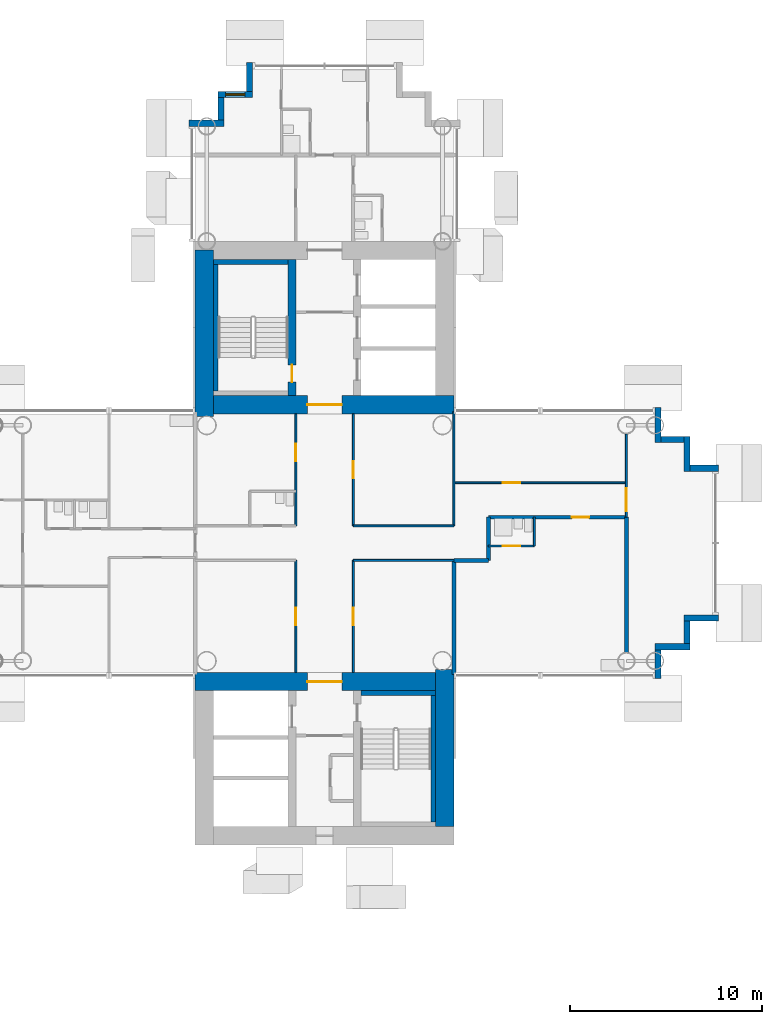
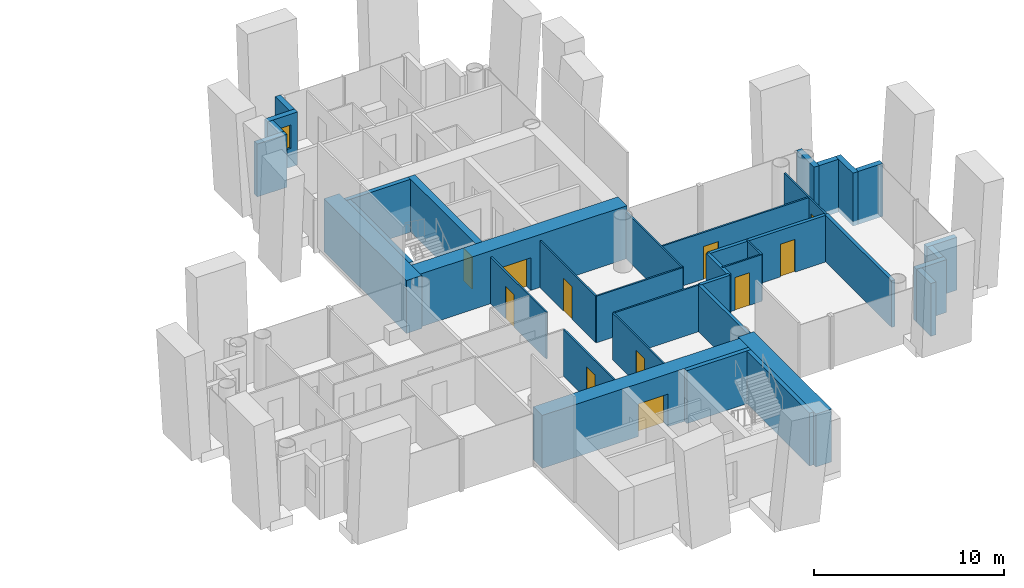
# One storey, part 13 of 21: 37 walls, 11 doors, 1 window, 12 openings.
"""IFC4 building model written with IfcOpenShell, lengths in metres."""

from ifc_helpers import new_model, si_unit, direction, frame, frame_2d, origin, place, context, subcontext, project, spatial, rectangle, extrude, material, layer, layer_set, type_object, element, fill, save


model = new_model("IFC4")

# Units and contexts
model_context = context("Model", 3, precision=1e-05, world=origin(), true_north=direction((0.0, 1.0)))
body_context = subcontext(model_context, "Body", "Model", "MODEL_VIEW")
ifc_project = project(units=[si_unit("LENGTHUNIT", "METRE"), si_unit("AREAUNIT", "SQUARE_METRE"), si_unit("VOLUMEUNIT", "CUBIC_METRE"), si_unit("PLANEANGLEUNIT", "RADIAN"), si_unit("MASSUNIT", "GRAM", prefix="KILO")], contexts=[model_context])

# Site, building, storey
site_placement = place(None, origin())
site = spatial("IfcSite", under=ifc_project, at=site_placement, CompositionType="ELEMENT")
building_placement = place(site_placement, origin())
building = spatial("IfcBuilding", under=site, at=building_placement, Name="Ipe Terrace Towers", CompositionType="ELEMENT")
storey_placement = place(building_placement, frame((0.0, 0.0, 114.0)))
storey = spatial("IfcBuildingStorey", under=building, at=storey_placement, Name="L31", CompositionType="ELEMENT", Elevation=114.0)

# Walls
ifc_material_1 = material(Name="Concrete C40/50 with buff precast cladding", Category="concrete")
ifc_layer_1 = layer(ifc_material_1, 0.320068359375)
ifc_layer_set_1 = layer_set([ifc_layer_1], Name="BUFF CLADDING WALL 320")
wall_type_1 = type_object("IfcWallType", Name="BUFF CLADDING WALL 320", PredefinedType="STANDARD", material=ifc_layer_set_1)
wall_1_placement = place(storey_placement, frame((53.409912109375, -7.070068359375, -0.300048828125), z_axis=(0.0, 0.0, 1.0), x_axis=(0.0, 1.0, 0.0)))
element("IfcWall", 1, at=wall_1_placement, inside=storey, type_object=wall_type_1, Name="T2-W-L31-04a wall", PredefinedType="STANDARD", context=body_context, shape_type="SweptSolid", body=[
    extrude(rectangle(XDim=1.5, YDim=0.320068359375, at=frame_2d((0.75, 0.0))), origin(), (0.0, 0.0, 1.0), 3.400146484375),
])
wall_2_placement = place(storey_placement, frame((53.25, -5.409912109375, -0.300048828125), z_axis=(0.0, 0.0, 1.0), x_axis=(1.0, 0.0, 0.0)))
element("IfcWall", 2, at=wall_2_placement, inside=storey, type_object=wall_type_1, Name="T2-W-L31-05a wall", PredefinedType="STANDARD", context=body_context, shape_type="SweptSolid", body=[
    extrude(rectangle(XDim=1.820068359375, YDim=0.320068359375, at=frame_2d((0.91015625, 0.0))), origin(), (0.0, 0.0, 1.0), 3.400146484375),
])
wall_3_placement = place(storey_placement, frame((54.909912109375, -5.25, -0.300048828125), z_axis=(0.0, 0.0, 1.0), x_axis=(0.0, 1.0, 0.0)))
element("IfcWall", 3, at=wall_3_placement, inside=storey, type_object=wall_type_1, Name="T2-W-L31-06a wall", PredefinedType="STANDARD", context=body_context, shape_type="SweptSolid", body=[
    extrude(rectangle(XDim=1.179931640625, YDim=0.320068359375, at=frame_2d((0.58984375, 0.0))), origin(), (0.0, 0.0, 1.0), 3.400146484375),
])
wall_4_placement = place(storey_placement, frame((54.75, -3.909912109375, -0.300048828125), z_axis=(0.0, 0.0, 1.0), x_axis=(1.0, 0.0, 0.0)))
element("IfcWall", 4, at=wall_4_placement, inside=storey, type_object=wall_type_1, Name="T2-W-L31-07a wall", PredefinedType="STANDARD", context=body_context, shape_type="SweptSolid", body=[
    extrude(rectangle(XDim=1.820068359375, YDim=0.320068359375, at=frame_2d((0.91015625, 0.0))), origin(), (0.0, 0.0, 1.0), 3.400146484375),
])
wall_5_placement = place(storey_placement, frame((56.570068359375, 3.909912109375, -0.300048828125), z_axis=(0.0, 0.0, 1.0), x_axis=(-1.0, 0.0, 0.0)))
element("IfcWall", 5, at=wall_5_placement, inside=storey, type_object=wall_type_1, Name="T2-W-L31-09a wall", PredefinedType="STANDARD", context=body_context, shape_type="SweptSolid", body=[
    extrude(rectangle(XDim=1.5, YDim=0.320068359375, at=frame_2d((0.75, 0.0))), origin(), (0.0, 0.0, 1.0), 3.400146484375),
])
wall_6_placement = place(storey_placement, frame((54.909912109375, 3.75, -0.300048828125), z_axis=(0.0, 0.0, 1.0), x_axis=(0.0, 1.0, 0.0)))
element("IfcWall", 6, at=wall_6_placement, inside=storey, type_object=wall_type_1, Name="T2-W-L31-10a wall", PredefinedType="STANDARD", context=body_context, shape_type="SweptSolid", body=[
    extrude(rectangle(XDim=1.820068359375, YDim=0.320068359375, at=frame_2d((0.91015625, 0.0))), origin(), (0.0, 0.0, 1.0), 3.400146484375),
])
wall_7_placement = place(storey_placement, frame((54.75, 5.409912109375, -0.300048828125), z_axis=(0.0, 0.0, 1.0), x_axis=(-1.0, 0.0, 0.0)))
element("IfcWall", 7, at=wall_7_placement, inside=storey, type_object=wall_type_1, Name="T2-W-L31-11a wall", PredefinedType="STANDARD", context=body_context, shape_type="SweptSolid", body=[
    extrude(rectangle(XDim=1.179931640625, YDim=0.320068359375, at=frame_2d((0.58984375, 0.0))), origin(), (0.0, 0.0, 1.0), 3.400146484375),
])
wall_8_placement = place(storey_placement, frame((53.409912109375, 5.25, -0.300048828125), z_axis=(0.0, 0.0, 1.0), x_axis=(0.0, 1.0, 0.0)))
element("IfcWall", 8, at=wall_8_placement, inside=storey, type_object=wall_type_1, Name="T2-W-L31-12a wall", PredefinedType="STANDARD", context=body_context, shape_type="SweptSolid", body=[
    extrude(rectangle(XDim=1.820068359375, YDim=0.320068359375, at=frame_2d((0.91015625, 0.0))), origin(), (0.0, 0.0, 1.0), 3.400146484375),
])
wall_9_placement = place(storey_placement, frame((32.090087890625, 25.070068359375, -0.300048828125), z_axis=(0.0, 0.0, 1.0), x_axis=(0.0, -1.0, 0.0)))
element("IfcWall", 9, at=wall_9_placement, inside=storey, type_object=wall_type_1, Name="T2-W-L31-22a wall", PredefinedType="STANDARD", context=body_context, shape_type="SweptSolid", body=[
    extrude(rectangle(XDim=1.5, YDim=0.320068359375, at=frame_2d((0.75, 0.0))), origin(), (0.0, 0.0, 1.0), 3.400146484375),
])

# Wall, opening, window
wall_10_placement = place(storey_placement, frame((32.25, 23.409912109375, -0.300048828125), z_axis=(0.0, 0.0, 1.0), x_axis=(-1.0, 0.0, 0.0)))
wall_10 = element("IfcWall", 10, at=wall_10_placement, inside=storey, type_object=wall_type_1, Name="T2-W-L31-23a wall", PredefinedType="STANDARD", context=body_context, shape_type="SweptSolid", body=[
    extrude(rectangle(XDim=1.820068359375, YDim=0.320068359375, at=frame_2d((0.91015625, 0.0))), origin(), (0.0, 0.0, 1.0), 3.400146484375),
])
opening_1_placement = place(wall_10_placement, frame((0.409912109375, 0.0, 1.199951171875)))
opening_1 = element("IfcOpeningElement", 11, at=opening_1_placement, cuts=wall_10, Name="Opening T2-W-05-L31-03", PredefinedType="OPENING", context=body_context, shape_type="SweptSolid", body=[
    extrude(rectangle(XDim=1.0, YDim=1.5, at=frame_2d((0.5, 0.75))), frame((0.0, 0.169921875, 0.0), z_axis=(0.0, -1.0, 0.0), x_axis=(1.0, 0.0, 0.0)), (0.0, 0.0, 1.0), 0.340087890625),
])
ifc_material_2 = material(Name="Glass, clear laminated", Category="glass")
window_type = type_object("IfcWindowType", Name="DWELLING WINDOW 1000 x 1500", PartitioningType="SINGLE_PANEL", PredefinedType="WINDOW", material=ifc_material_2)
window_placement = place(opening_1_placement, origin())
window = element("IfcWindow", 12, at=window_placement, inside=storey, type_object=window_type, Name="W-05 window", OverallHeight=1.5, OverallWidth=1.0, PartitioningType="SINGLE_PANEL", PredefinedType="WINDOW", context=body_context, shape_type="SweptSolid", body=[
    extrude(rectangle(XDim=1.0, YDim=1.5, at=frame_2d((0.5, 0.75))), frame((0.0, 0.030029296875, 0.0), z_axis=(0.0, -1.0, 0.0), x_axis=(1.0, 0.0, 0.0)), (0.0, 0.0, 1.0), 0.06005859375),
])
fill(opening_1, window)

# Walls
wall_11_placement = place(storey_placement, frame((30.590087890625, 23.25, -0.300048828125), z_axis=(0.0, 0.0, 1.0), x_axis=(0.0, -1.0, 0.0)))
element("IfcWall", 13, at=wall_11_placement, inside=storey, type_object=wall_type_1, Name="T2-W-L31-24a wall", PredefinedType="STANDARD", context=body_context, shape_type="SweptSolid", body=[
    extrude(rectangle(XDim=1.179931640625, YDim=0.320068359375, at=frame_2d((0.58984375, 0.0))), origin(), (0.0, 0.0, 1.0), 3.400146484375),
])
wall_12_placement = place(storey_placement, frame((30.75, 21.909912109375, -0.300048828125), z_axis=(0.0, 0.0, 1.0), x_axis=(-1.0, 0.0, 0.0)))
element("IfcWall", 14, at=wall_12_placement, inside=storey, type_object=wall_type_1, Name="T2-W-L31-25a wall", PredefinedType="STANDARD", context=body_context, shape_type="SweptSolid", body=[
    extrude(rectangle(XDim=1.820068359375, YDim=0.320068359375, at=frame_2d((0.91015625, 0.0))), origin(), (0.0, 0.0, 1.0), 3.400146484375),
])
ifc_material_3 = material(Name="Gypsum board partition", Category="plasterboard")
ifc_layer_2 = layer(ifc_material_3, 0.10009765625)
ifc_layer_set_2 = layer_set([ifc_layer_2], Name="Gypsum board partition 100 mm")
wall_type_2 = type_object("IfcWallType", Name="Gypsum board partition 100 mm", PredefinedType="PARTITIONING", material=ifc_layer_set_2)
wall_13_placement = place(storey_placement, frame((42.75, -0.89990234375, 0.0), z_axis=(0.0, 0.0, 1.0), x_axis=(-1.0, 0.0, 0.0)))
element("IfcWall", 15, at=wall_13_placement, inside=storey, type_object=wall_type_2, Name="Gypsum board partition T2 L31 W02", PredefinedType="PARTITIONING", context=body_context, shape_type="SweptSolid", body=[
    extrude(rectangle(XDim=5.25, YDim=0.10009765625, at=frame_2d((2.625, 0.0))), origin(), (0.0, 0.0, 1.0), 3.0),
])

# Wall, opening, door
wall_14_placement = place(storey_placement, frame((46.949951171875, -0.14990234375, 0.0), z_axis=(0.0, 0.0, 1.0), x_axis=(-1.0, 0.0, 0.0)))
wall_14 = element("IfcWall", 16, at=wall_14_placement, inside=storey, type_object=wall_type_2, Name="Gypsum board partition T2 L31 W06", PredefinedType="PARTITIONING", context=body_context, shape_type="SweptSolid", body=[
    extrude(rectangle(XDim=2.39990234375, YDim=0.10009765625, at=frame_2d((1.199951171875, 0.0))), origin(), (0.0, 0.0, 1.0), 3.0),
])
opening_2_placement = place(wall_14_placement, frame((0.75, 0.0, 0.0)))
opening_2 = element("IfcOpeningElement", 17, at=opening_2_placement, cuts=wall_14, Name="Opening T2-Z2F-18", PredefinedType="OPENING", context=body_context, shape_type="SweptSolid", body=[
    extrude(rectangle(XDim=0.89990234375, YDim=2.10009765625, at=frame_2d((0.449951171875, 1.050048828125))), frame((0.0, 0.06005859375, 0.0), z_axis=(0.0, -1.0, 0.0), x_axis=(1.0, 0.0, 0.0)), (0.0, 0.0, 1.0), 0.1201171875),
])
ifc_material_4 = material(Name="Timber door leaf", Category="wood")
door_type_1 = type_object("IfcDoorType", Name="Bathroom door 900 x 2100", OperationType="NOTDEFINED", PredefinedType="DOOR", material=ifc_material_4)
door_1_placement = place(opening_2_placement, origin())
door_1 = element("IfcDoor", 18, at=door_1_placement, inside=storey, type_object=door_type_1, Name="Bathroom door T2-Z2F-18", OperationType="SINGLE_SWING_RIGHT", OverallHeight=2.10009765625, OverallWidth=0.89990234375, PredefinedType="DOOR", context=body_context, shape_type="SweptSolid", body=[
    extrude(rectangle(XDim=0.89990234375, YDim=2.10009765625, at=frame_2d((0.449951171875, 1.050048828125))), frame((0.0, 0.02490234375, 0.0), z_axis=(0.0, -1.0, 0.0), x_axis=(1.0, 0.0, 0.0)), (0.0, 0.0, 1.0), 0.050048828125),
])
fill(opening_2, door_1)

# Wall
wall_15_placement = place(storey_placement, frame((42.75, 0.89990234375, 0.0), z_axis=(0.0, 0.0, 1.0), x_axis=(-1.0, 0.0, 0.0)))
element("IfcWall", 19, at=wall_15_placement, inside=storey, type_object=wall_type_2, Name="Gypsum board partition T2 L31 W08", PredefinedType="PARTITIONING", context=body_context, shape_type="SweptSolid", body=[
    extrude(rectangle(XDim=5.25, YDim=0.10009765625, at=frame_2d((2.625, 0.0))), origin(), (0.0, 0.0, 1.0), 3.0),
])

# Wall, opening, door
wall_16_placement = place(storey_placement, frame((51.75, 3.14990234375, 0.0), z_axis=(0.0, 0.0, 1.0), x_axis=(-1.0, 0.0, 0.0)))
wall_16 = element("IfcWall", 20, at=wall_16_placement, inside=storey, type_object=wall_type_2, Name="Gypsum board partition T2 L31 W13", PredefinedType="PARTITIONING", context=body_context, shape_type="SweptSolid", body=[
    extrude(rectangle(XDim=9.0, YDim=0.10009765625, at=frame_2d((4.5, 0.0))), origin(), (0.0, 0.0, 1.0), 3.0),
])
opening_3_placement = place(wall_16_placement, frame((5.550048828125, 0.0, 0.0)))
opening_3 = element("IfcOpeningElement", 21, at=opening_3_placement, cuts=wall_16, Name="Opening T2-Z2F-16", PredefinedType="OPENING", context=body_context, shape_type="SweptSolid", body=[
    extrude(rectangle(XDim=0.89990234375, YDim=2.10009765625, at=frame_2d((0.449951171875, 1.050048828125))), frame((0.0, 0.06005859375, 0.0), z_axis=(0.0, -1.0, 0.0), x_axis=(1.0, 0.0, 0.0)), (0.0, 0.0, 1.0), 0.1201171875),
])
ifc_material_5 = material(Name="Timber door leaf", Category="wood")
door_type_2 = type_object("IfcDoorType", Name="Lounge door 900 x 2100", OperationType="NOTDEFINED", PredefinedType="DOOR", material=ifc_material_5)
door_2_placement = place(opening_3_placement, origin())
door_2 = element("IfcDoor", 22, at=door_2_placement, inside=storey, type_object=door_type_2, Name="Lounge door T2-Z2F-16", OperationType="SINGLE_SWING_RIGHT", OverallHeight=2.10009765625, OverallWidth=0.89990234375, PredefinedType="DOOR", context=body_context, shape_type="SweptSolid", body=[
    extrude(rectangle(XDim=0.89990234375, YDim=2.10009765625, at=frame_2d((0.449951171875, 1.050048828125))), frame((0.0, 0.02490234375, 0.0), z_axis=(0.0, -1.0, 0.0), x_axis=(1.0, 0.0, 0.0)), (0.0, 0.0, 1.0), 0.050048828125),
])
fill(opening_3, door_2)

wall_17_placement = place(storey_placement, frame((51.75, 1.35009765625, 0.0), z_axis=(0.0, 0.0, 1.0), x_axis=(0.0, 1.0, 0.0)))
wall_17 = element("IfcWall", 23, at=wall_17_placement, inside=storey, type_object=wall_type_2, Name="Gypsum board partition T2 L31 W17", PredefinedType="PARTITIONING", context=body_context, shape_type="SweptSolid", body=[
    extrude(rectangle(XDim=4.349853515625, YDim=0.10009765625, at=frame_2d((2.1748046875, 0.0))), origin(), (0.0, 0.0, 1.0), 3.0),
])
opening_4_placement = place(wall_17_placement, frame((0.300048828125, 0.0, 0.0)))
opening_4 = element("IfcOpeningElement", 24, at=opening_4_placement, cuts=wall_17, Name="Opening T2-Z2F-19", PredefinedType="OPENING", context=body_context, shape_type="SweptSolid", body=[
    extrude(rectangle(XDim=1.199951171875, YDim=2.10009765625, at=frame_2d((0.60009765625, 1.050048828125))), frame((0.0, 0.06005859375, 0.0), z_axis=(0.0, -1.0, 0.0), x_axis=(1.0, 0.0, 0.0)), (0.0, 0.0, 1.0), 0.1201171875),
])
ifc_material_6 = material(Name="Timber door leaf", Category="wood")
door_type_3 = type_object("IfcDoorType", Name="Lounge door 1200 x 2100", OperationType="NOTDEFINED", PredefinedType="DOOR", material=ifc_material_6)
door_3_placement = place(opening_4_placement, origin())
door_3 = element("IfcDoor", 25, at=door_3_placement, inside=storey, type_object=door_type_3, Name="Lounge door T2-Z2F-19", OperationType="SINGLE_SWING_LEFT", OverallHeight=2.10009765625, OverallWidth=1.199951171875, PredefinedType="DOOR", context=body_context, shape_type="SweptSolid", body=[
    extrude(rectangle(XDim=1.199951171875, YDim=2.10009765625, at=frame_2d((0.60009765625, 1.050048828125))), frame((0.0, 0.02490234375, 0.0), z_axis=(0.0, -1.0, 0.0), x_axis=(1.0, 0.0, 0.0)), (0.0, 0.0, 1.0), 0.050048828125),
])
fill(opening_4, door_3)

# Walls
wall_18_placement = place(storey_placement, frame((46.949951171875, -0.14990234375, 0.0), z_axis=(0.0, 0.0, 1.0), x_axis=(0.0, 1.0, 0.0)))
element("IfcWall", 26, at=wall_18_placement, inside=storey, type_object=wall_type_2, Name="Gypsum board partition T2 L31 W19", PredefinedType="PARTITIONING", context=body_context, shape_type="SweptSolid", body=[
    extrude(rectangle(XDim=1.5, YDim=0.10009765625, at=frame_2d((0.75, 0.0))), origin(), (0.0, 0.0, 1.0), 3.0),
])
wall_19_placement = place(storey_placement, frame((42.75, 0.89990234375, 0.0), z_axis=(0.0, 0.0, 1.0), x_axis=(0.0, 1.0, 0.0)))
element("IfcWall", 27, at=wall_19_placement, inside=storey, type_object=wall_type_2, Name="Gypsum board partition T2 L31 W21", PredefinedType="PARTITIONING", context=body_context, shape_type="SweptSolid", body=[
    extrude(rectangle(XDim=5.9501953125, YDim=0.10009765625, at=frame_2d((2.97509765625, 0.0))), origin(), (0.0, 0.0, 1.0), 3.0),
])

# Wall, opening, door
wall_20_placement = place(storey_placement, frame((37.5, -6.75, 0.0), z_axis=(0.0, 0.0, 1.0), x_axis=(0.0, 1.0, 0.0)))
wall_20 = element("IfcWall", 28, at=wall_20_placement, inside=storey, type_object=wall_type_2, Name="Gypsum board partition T2 L31 W25", PredefinedType="PARTITIONING", context=body_context, shape_type="SweptSolid", body=[
    extrude(rectangle(XDim=5.85009765625, YDim=0.10009765625, at=frame_2d((2.925048828125, 0.0))), origin(), (0.0, 0.0, 1.0), 3.0),
])
opening_5_placement = place(wall_20_placement, frame((2.47509765625, 0.0, 0.0)))
opening_5 = element("IfcOpeningElement", 29, at=opening_5_placement, cuts=wall_20, Name="Opening T2-Z2F-04", PredefinedType="OPENING", context=body_context, shape_type="SweptSolid", body=[
    extrude(rectangle(XDim=0.89990234375, YDim=2.10009765625, at=frame_2d((0.449951171875, 1.050048828125))), frame((0.0, 0.06005859375, 0.0), z_axis=(0.0, -1.0, 0.0), x_axis=(1.0, 0.0, 0.0)), (0.0, 0.0, 1.0), 0.1201171875),
])
door_4_placement = place(opening_5_placement, origin())
door_4 = element("IfcDoor", 30, at=door_4_placement, inside=storey, type_object=door_type_2, Name="Lounge door T2-Z2F-04", OperationType="SINGLE_SWING_LEFT", OverallHeight=2.10009765625, OverallWidth=0.89990234375, PredefinedType="DOOR", context=body_context, shape_type="SweptSolid", body=[
    extrude(rectangle(XDim=0.89990234375, YDim=2.10009765625, at=frame_2d((0.449951171875, 1.050048828125))), frame((0.0, 0.02490234375, 0.0), z_axis=(0.0, -1.0, 0.0), x_axis=(1.0, 0.0, 0.0)), (0.0, 0.0, 1.0), 0.050048828125),
])
fill(opening_5, door_4)

wall_21_placement = place(storey_placement, frame((37.5, 0.89990234375, 0.0), z_axis=(0.0, 0.0, 1.0), x_axis=(0.0, 1.0, 0.0)))
wall_21 = element("IfcWall", 31, at=wall_21_placement, inside=storey, type_object=wall_type_2, Name="Gypsum board partition T2 L31 W26", PredefinedType="PARTITIONING", context=body_context, shape_type="SweptSolid", body=[
    extrude(rectangle(XDim=5.85009765625, YDim=0.10009765625, at=frame_2d((2.925048828125, 0.0))), origin(), (0.0, 0.0, 1.0), 3.0),
])
opening_6_placement = place(wall_21_placement, frame((2.47509765625, 0.0, 0.0)))
opening_6 = element("IfcOpeningElement", 32, at=opening_6_placement, cuts=wall_21, Name="Opening T2-Z2F-05", PredefinedType="OPENING", context=body_context, shape_type="SweptSolid", body=[
    extrude(rectangle(XDim=0.89990234375, YDim=2.10009765625, at=frame_2d((0.449951171875, 1.050048828125))), frame((0.0, 0.06005859375, 0.0), z_axis=(0.0, -1.0, 0.0), x_axis=(1.0, 0.0, 0.0)), (0.0, 0.0, 1.0), 0.1201171875),
])
door_5_placement = place(opening_6_placement, origin())
door_5 = element("IfcDoor", 33, at=door_5_placement, inside=storey, type_object=door_type_2, Name="Lounge door T2-Z2F-05", OperationType="SINGLE_SWING_RIGHT", OverallHeight=2.10009765625, OverallWidth=0.89990234375, PredefinedType="DOOR", context=body_context, shape_type="SweptSolid", body=[
    extrude(rectangle(XDim=0.89990234375, YDim=2.10009765625, at=frame_2d((0.449951171875, 1.050048828125))), frame((0.0, 0.02490234375, 0.0), z_axis=(0.0, -1.0, 0.0), x_axis=(1.0, 0.0, 0.0)), (0.0, 0.0, 1.0), 0.050048828125),
])
fill(opening_6, door_5)

wall_22_placement = place(storey_placement, frame((34.5, -6.75, 0.0), z_axis=(0.0, 0.0, 1.0), x_axis=(0.0, 1.0, 0.0)))
wall_22 = element("IfcWall", 34, at=wall_22_placement, inside=storey, type_object=wall_type_2, Name="Gypsum board partition T2 L31 W29", PredefinedType="PARTITIONING", context=body_context, shape_type="SweptSolid", body=[
    extrude(rectangle(XDim=5.85009765625, YDim=0.10009765625, at=frame_2d((2.925048828125, 0.0))), origin(), (0.0, 0.0, 1.0), 3.0),
])
opening_7_placement = place(wall_22_placement, frame((2.47509765625, 0.0, 0.0)))
opening_7 = element("IfcOpeningElement", 35, at=opening_7_placement, cuts=wall_22, Name="Opening T2-Z2F-03", PredefinedType="OPENING", context=body_context, shape_type="SweptSolid", body=[
    extrude(rectangle(XDim=0.89990234375, YDim=2.10009765625, at=frame_2d((0.449951171875, 1.050048828125))), frame((0.0, 0.06005859375, 0.0), z_axis=(0.0, -1.0, 0.0), x_axis=(1.0, 0.0, 0.0)), (0.0, 0.0, 1.0), 0.1201171875),
])
door_6_placement = place(opening_7_placement, origin())
door_6 = element("IfcDoor", 36, at=door_6_placement, inside=storey, type_object=door_type_2, Name="Lounge door T2-Z2F-03", OperationType="SINGLE_SWING_RIGHT", OverallHeight=2.10009765625, OverallWidth=0.89990234375, PredefinedType="DOOR", context=body_context, shape_type="SweptSolid", body=[
    extrude(rectangle(XDim=0.89990234375, YDim=2.10009765625, at=frame_2d((0.449951171875, 1.050048828125))), frame((0.0, 0.02490234375, 0.0), z_axis=(0.0, -1.0, 0.0), x_axis=(1.0, 0.0, 0.0)), (0.0, 0.0, 1.0), 0.050048828125),
])
fill(opening_7, door_6)

wall_23_placement = place(storey_placement, frame((34.5, 0.89990234375, 0.0), z_axis=(0.0, 0.0, 1.0), x_axis=(0.0, 1.0, 0.0)))
wall_23 = element("IfcWall", 37, at=wall_23_placement, inside=storey, type_object=wall_type_2, Name="Gypsum board partition T2 L31 W30", PredefinedType="PARTITIONING", context=body_context, shape_type="SweptSolid", body=[
    extrude(rectangle(XDim=5.85009765625, YDim=0.10009765625, at=frame_2d((2.925048828125, 0.0))), origin(), (0.0, 0.0, 1.0), 3.0),
])
opening_8_placement = place(wall_23_placement, frame((3.375, 0.0, 0.0)))
opening_8 = element("IfcOpeningElement", 38, at=opening_8_placement, cuts=wall_23, Name="Opening T2-Z2F-02", PredefinedType="OPENING", context=body_context, shape_type="SweptSolid", body=[
    extrude(rectangle(XDim=0.89990234375, YDim=2.10009765625, at=frame_2d((0.449951171875, 1.050048828125))), frame((0.0, 0.06005859375, 0.0), z_axis=(0.0, -1.0, 0.0), x_axis=(1.0, 0.0, 0.0)), (0.0, 0.0, 1.0), 0.1201171875),
])
door_7_placement = place(opening_8_placement, origin())
door_7 = element("IfcDoor", 39, at=door_7_placement, inside=storey, type_object=door_type_2, Name="Lounge door T2-Z2F-02", OperationType="SINGLE_SWING_LEFT", OverallHeight=2.10009765625, OverallWidth=0.89990234375, PredefinedType="DOOR", context=body_context, shape_type="SweptSolid", body=[
    extrude(rectangle(XDim=0.89990234375, YDim=2.10009765625, at=frame_2d((0.449951171875, 1.050048828125))), frame((0.0, 0.02490234375, 0.0), z_axis=(0.0, -1.0, 0.0), x_axis=(1.0, 0.0, 0.0)), (0.0, 0.0, 1.0), 0.050048828125),
])
fill(opening_8, door_7)

# Wall
ifc_material_7 = material(Name="Gypsum board party wall", Category="plasterboard")
ifc_layer_3 = layer(ifc_material_7, 0.199951171875)
ifc_layer_set_3 = layer_set([ifc_layer_3], Name="Gypsum board party wall 200 mm")
wall_type_3 = type_object("IfcWallType", Name="Gypsum board party wall 200 mm", PredefinedType="SOLIDWALL", material=ifc_layer_set_3)
wall_24_placement = place(storey_placement, frame((44.550048828125, -0.89990234375, 0.0), z_axis=(0.0, 0.0, 1.0), x_axis=(-1.0, 0.0, 0.0)))
element("IfcWall", 40, at=wall_24_placement, inside=storey, type_object=wall_type_3, Name="Gypsum board party wall T2 L31 W04", PredefinedType="SOLIDWALL", context=body_context, shape_type="SweptSolid", body=[
    extrude(rectangle(XDim=1.800048828125, YDim=0.199951171875, at=frame_2d((0.89990234375, 0.0))), origin(), (0.0, 0.0, 1.0), 3.0),
])

# Wall, opening, door
wall_25_placement = place(storey_placement, frame((51.75, 1.35009765625, 0.0), z_axis=(0.0, 0.0, 1.0), x_axis=(-1.0, 0.0, 0.0)))
wall_25 = element("IfcWall", 41, at=wall_25_placement, inside=storey, type_object=wall_type_3, Name="Gypsum board party wall T2 L31 W10", PredefinedType="SOLIDWALL", context=body_context, shape_type="SweptSolid", body=[
    extrude(rectangle(XDim=7.199951171875, YDim=0.199951171875, at=frame_2d((3.60009765625, 0.0))), origin(), (0.0, 0.0, 1.0), 3.0),
])
opening_9_placement = place(wall_25_placement, frame((1.949951171875, 0.0, 0.0)))
opening_9 = element("IfcOpeningElement", 42, at=opening_9_placement, cuts=wall_25, Name="Opening T2-Z2F-17", PredefinedType="OPENING", context=body_context, shape_type="SweptSolid", body=[
    extrude(rectangle(XDim=0.89990234375, YDim=2.10009765625, at=frame_2d((0.449951171875, 1.050048828125))), frame((0.0, 0.10986328125, 0.0), z_axis=(0.0, -1.0, 0.0), x_axis=(1.0, 0.0, 0.0)), (0.0, 0.0, 1.0), 0.219970703125),
])
ifc_material_8 = material(Name="Fire-rated timber door leaf", Category="wood")
door_type_4 = type_object("IfcDoorType", Name="Flat entrance door 900 x 2100 FD30S", OperationType="NOTDEFINED", PredefinedType="DOOR", material=ifc_material_8)
door_8_placement = place(opening_9_placement, origin())
door_8 = element("IfcDoor", 43, at=door_8_placement, inside=storey, type_object=door_type_4, Name="Flat entrance door T2-Z2F-17", OperationType="SINGLE_SWING_RIGHT", OverallHeight=2.10009765625, OverallWidth=0.89990234375, PredefinedType="DOOR", context=body_context, shape_type="SweptSolid", body=[
    extrude(rectangle(XDim=0.89990234375, YDim=2.10009765625, at=frame_2d((0.449951171875, 1.050048828125))), frame((0.0, 0.02490234375, 0.0), z_axis=(0.0, -1.0, 0.0), x_axis=(1.0, 0.0, 0.0)), (0.0, 0.0, 1.0), 0.050048828125),
])
fill(opening_9, door_8)

# Walls
wall_26_placement = place(storey_placement, frame((51.75, -5.699951171875, 0.0), z_axis=(0.0, 0.0, 1.0), x_axis=(0.0, 1.0, 0.0)))
element("IfcWall", 44, at=wall_26_placement, inside=storey, type_object=wall_type_3, Name="Gypsum board party wall T2 L31 W18", PredefinedType="SOLIDWALL", context=body_context, shape_type="SweptSolid", body=[
    extrude(rectangle(XDim=7.050048828125, YDim=0.199951171875, at=frame_2d((3.52490234375, 0.0))), origin(), (0.0, 0.0, 1.0), 3.0),
])
wall_27_placement = place(storey_placement, frame((44.550048828125, -0.89990234375, 0.0), z_axis=(0.0, 0.0, 1.0), x_axis=(0.0, 1.0, 0.0)))
element("IfcWall", 45, at=wall_27_placement, inside=storey, type_object=wall_type_3, Name="Gypsum board party wall T2 L31 W20", PredefinedType="SOLIDWALL", context=body_context, shape_type="SweptSolid", body=[
    extrude(rectangle(XDim=2.25, YDim=0.199951171875, at=frame_2d((1.125, 0.0))), origin(), (0.0, 0.0, 1.0), 3.0),
])
wall_28_placement = place(storey_placement, frame((42.75, -6.85009765625, 0.0), z_axis=(0.0, 0.0, 1.0), x_axis=(0.0, 1.0, 0.0)))
element("IfcWall", 46, at=wall_28_placement, inside=storey, type_object=wall_type_3, Name="Gypsum board party wall T2 L31 W22", PredefinedType="SOLIDWALL", context=body_context, shape_type="SweptSolid", body=[
    extrude(rectangle(XDim=5.9501953125, YDim=0.199951171875, at=frame_2d((2.97509765625, 0.0))), origin(), (0.0, 0.0, 1.0), 3.0),
])
ifc_material_9 = material(Name="Concrete C50/60", Category="concrete")
ifc_layer_4 = layer(ifc_material_9, 0.25)
ifc_layer_set_4 = layer_set([ifc_layer_4], Name="RW250 CORE INFILL WALL 250 C50-60")
wall_type_4 = type_object("IfcWallType", Name="RW250 CORE INFILL WALL 250 C50-60", PredefinedType="SHEAR", material=ifc_layer_set_4)
wall_29_placement = place(storey_placement, frame((34.10009765625, 14.675048828125, 0.0), z_axis=(0.0, 0.0, 1.0), x_axis=(-1.0, 0.0, 0.0)))
element("IfcWall", 47, at=wall_29_placement, inside=storey, type_object=wall_type_4, Name="Core infill wall T2-C1-far", PredefinedType="SHEAR", context=body_context, shape_type="SweptSolid", body=[
    extrude(rectangle(XDim=3.900146484375, YDim=0.25, at=frame_2d((1.9501953125, 0.0))), origin(), (0.0, 0.0, 1.0), 3.39990234375),
])
for number, where, z_axis, x_axis, name in (
    (48, (30.324951171875, 7.949951171875, 0.0), (0.0, 0.0, 1.0), (0.0, 1.0, 0.0), "Core infill wall T2-C1-back"),
    (49, (41.675048828125, -7.949951171875, 0.0), (0.0, 0.0, 1.0), (0.0, -1.0, 0.0), "Core infill wall T2-C2-back"),
):
    element("IfcWall", number, at=place(storey_placement, frame(where, z_axis=z_axis, x_axis=x_axis)), inside=storey, type_object=wall_type_4, Name=name, PredefinedType="SHEAR", context=body_context, shape_type="SweptSolid", body=[
        extrude(rectangle(XDim=6.60009765625, YDim=0.25, at=frame_2d((3.300048828125, 0.0))), origin(), (0.0, 0.0, 1.0), 3.39990234375),
    ])
wall_30_placement = place(storey_placement, frame((37.89990234375, -7.824951171875, 0.0), z_axis=(0.0, 0.0, 1.0), x_axis=(1.0, 0.0, 0.0)))
element("IfcWall", 50, at=wall_30_placement, inside=storey, type_object=wall_type_4, Name="Core infill wall T2-C2-near", PredefinedType="SHEAR", context=body_context, shape_type="SweptSolid", body=[
    extrude(rectangle(XDim=3.900146484375, YDim=0.25, at=frame_2d((1.9501953125, 0.0))), origin(), (0.0, 0.0, 1.0), 3.39990234375),
])

# Wall, opening, door
ifc_material_10 = material(Name="Concrete C50/60", Category="concrete")
ifc_layer_5 = layer(ifc_material_10, 0.39990234375)
ifc_layer_set_5 = layer_set([ifc_layer_5], Name="RW400 CORE SPINE WALL 400 C50-60")
wall_type_5 = type_object("IfcWallType", Name="RW400 CORE SPINE WALL 400 C50-60", PredefinedType="SHEAR", material=ifc_layer_set_5)
wall_31_placement = place(storey_placement, frame((34.300048828125, 7.699951171875, 0.0), z_axis=(0.0, 0.0, 1.0), x_axis=(0.0, 1.0, 0.0)))
wall_31 = element("IfcWall", 51, at=wall_31_placement, inside=storey, type_object=wall_type_5, Name="Core spine wall T2-C1-Z2-SW1", PredefinedType="SHEAR", context=body_context, shape_type="SweptSolid", body=[
    extrude(rectangle(XDim=7.10009765625, YDim=0.39990234375, at=frame_2d((3.550048828125, 0.0))), origin(), (0.0, 0.0, 1.0), 3.39990234375),
])
opening_10_placement = place(wall_31_placement, frame((0.699951171875, 0.0, 0.0)))
opening_10 = element("IfcOpeningElement", 52, at=opening_10_placement, cuts=wall_31, Name="Opening T2C1-SD", PredefinedType="OPENING", context=body_context, shape_type="SweptSolid", body=[
    extrude(rectangle(XDim=0.89990234375, YDim=2.10009765625, at=frame_2d((0.449951171875, 1.050048828125))), frame((0.0, 0.2099609375, 0.0), z_axis=(0.0, -1.0, 0.0), x_axis=(1.0, 0.0, 0.0)), (0.0, 0.0, 1.0), 0.419921875),
])
ifc_material_11 = material(Name="Fire-rated timber door leaf", Category="wood")
door_type_5 = type_object("IfcDoorType", Name="Stair door 900 x 2100 FD60", OperationType="NOTDEFINED", PredefinedType="DOOR", material=ifc_material_11)
door_9_placement = place(opening_10_placement, origin())
door_9 = element("IfcDoor", 53, at=door_9_placement, inside=storey, type_object=door_type_5, Name="Stair door T2C1-SD", OperationType="SINGLE_SWING_LEFT", OverallHeight=2.10009765625, OverallWidth=0.89990234375, PredefinedType="DOOR", context=body_context, shape_type="SweptSolid", body=[
    extrude(rectangle(XDim=0.89990234375, YDim=2.10009765625, at=frame_2d((0.449951171875, 1.050048828125))), frame((0.0, 0.02490234375, 0.0), z_axis=(0.0, -1.0, 0.0), x_axis=(1.0, 0.0, 0.0)), (0.0, 0.0, 1.0), 0.050048828125),
])
fill(opening_10, door_9)

ifc_material_12 = material(Name="Concrete C50/60", Category="concrete")
ifc_layer_6 = layer(ifc_material_12, 0.949951171875)
ifc_layer_set_6 = layer_set([ifc_layer_6], Name="RW950 CORE WALL 950 C50-60")
wall_type_6 = type_object("IfcWallType", Name="RW950 CORE WALL 950 C50-60", PredefinedType="SHEAR", material=ifc_layer_set_6)
wall_32_placement = place(storey_placement, frame((30.199951171875, 7.22509765625, 0.0), z_axis=(0.0, 0.0, 1.0), x_axis=(1.0, 0.0, 0.0)))
wall_32 = element("IfcWall", 54, at=wall_32_placement, inside=storey, type_object=wall_type_6, Name="Core wall T2-C1-Z2-W01", PredefinedType="SHEAR", context=body_context, shape_type="SweptSolid", body=[
    extrude(rectangle(XDim=12.550048828125, YDim=0.949951171875, at=frame_2d((6.27490234375, 0.0))), origin(), (0.0, 0.0, 1.0), 3.39990234375),
])
opening_11_placement = place(wall_32_placement, frame((4.89990234375, 0.0, 0.0)))
opening_11 = element("IfcOpeningElement", 55, at=opening_11_placement, cuts=wall_32, Name="Opening T2C1-ND", PredefinedType="OPENING", context=body_context, shape_type="SweptSolid", body=[
    extrude(rectangle(XDim=1.800048828125, YDim=2.10009765625, at=frame_2d((0.89990234375, 1.050048828125))), frame((0.0, 0.48486328125, 0.0), z_axis=(0.0, -1.0, 0.0), x_axis=(1.0, 0.0, 0.0)), (0.0, 0.0, 1.0), 0.969970703125),
])
ifc_material_13 = material(Name="Fire-rated timber door leaf", Category="wood")
door_type_6 = type_object("IfcDoorType", Name="Fire door 1800 x 2100 FD30S", OperationType="NOTDEFINED", PredefinedType="DOOR", material=ifc_material_13)
door_10_placement = place(opening_11_placement, origin())
door_10 = element("IfcDoor", 56, at=door_10_placement, inside=storey, type_object=door_type_6, Name="Fire door T2C1-ND", OperationType="SINGLE_SWING_LEFT", OverallHeight=2.10009765625, OverallWidth=1.800048828125, PredefinedType="DOOR", context=body_context, shape_type="SweptSolid", body=[
    extrude(rectangle(XDim=1.800048828125, YDim=2.10009765625, at=frame_2d((0.89990234375, 1.050048828125))), frame((0.0, 0.02490234375, 0.0), z_axis=(0.0, -1.0, 0.0), x_axis=(1.0, 0.0, 0.0)), (0.0, 0.0, 1.0), 0.050048828125),
])
fill(opening_11, door_10)

# Walls
wall_33_placement = place(storey_placement, frame((29.72509765625, 15.298095703125, 0.0), z_axis=(0.0, 0.0, 1.0), x_axis=(0.0, -1.0, 0.0)))
element("IfcWall", 57, at=wall_33_placement, inside=storey, type_object=wall_type_6, Name="Core wall T2-C1-Z2-W04", PredefinedType="SHEAR", context=body_context, shape_type="SweptSolid", body=[
    extrude(rectangle(XDim=8.696044921875, YDim=0.949951171875, at=frame_2d((4.34814453125, 0.0))), origin(), (0.0, 0.0, 1.0), 3.39990234375),
])
wall_34_placement = place(storey_placement, frame((42.27490234375, -14.800048828125, 0.0), z_axis=(0.0, 0.0, 1.0), x_axis=(0.0, 1.0, 0.0)))
element("IfcWall", 58, at=wall_34_placement, inside=storey, type_object=wall_type_6, Name="Core wall T2-C2-Z2-W02", PredefinedType="SHEAR", context=body_context, shape_type="SweptSolid", body=[
    extrude(rectangle(XDim=8.197998046875, YDim=0.949951171875, at=frame_2d((4.09912109375, 0.0))), origin(), (0.0, 0.0, 1.0), 3.39990234375),
])

# Wall, opening, door
wall_35_placement = place(storey_placement, frame((41.800048828125, -7.22509765625, 0.0), z_axis=(0.0, 0.0, 1.0), x_axis=(-1.0, 0.0, 0.0)))
wall_35 = element("IfcWall", 59, at=wall_35_placement, inside=storey, type_object=wall_type_6, Name="Core wall T2-C2-Z2-W03", PredefinedType="SHEAR", context=body_context, shape_type="SweptSolid", body=[
    extrude(rectangle(XDim=12.550048828125, YDim=0.949951171875, at=frame_2d((6.27490234375, 0.0))), origin(), (0.0, 0.0, 1.0), 3.39990234375),
])
opening_12_placement = place(wall_35_placement, frame((4.89990234375, 0.0, 0.0)))
opening_12 = element("IfcOpeningElement", 60, at=opening_12_placement, cuts=wall_35, Name="Opening T2C2-ND", PredefinedType="OPENING", context=body_context, shape_type="SweptSolid", body=[
    extrude(rectangle(XDim=1.800048828125, YDim=2.10009765625, at=frame_2d((0.89990234375, 1.050048828125))), frame((0.0, 0.48486328125, 0.0), z_axis=(0.0, -1.0, 0.0), x_axis=(1.0, 0.0, 0.0)), (0.0, 0.0, 1.0), 0.969970703125),
])
door_11_placement = place(opening_12_placement, origin())
door_11 = element("IfcDoor", 61, at=door_11_placement, inside=storey, type_object=door_type_6, Name="Fire door T2C2-ND", OperationType="SINGLE_SWING_LEFT", OverallHeight=2.10009765625, OverallWidth=1.800048828125, PredefinedType="DOOR", context=body_context, shape_type="SweptSolid", body=[
    extrude(rectangle(XDim=1.800048828125, YDim=2.10009765625, at=frame_2d((0.89990234375, 1.050048828125))), frame((0.0, 0.02490234375, 0.0), z_axis=(0.0, -1.0, 0.0), x_axis=(1.0, 0.0, 0.0)), (0.0, 0.0, 1.0), 0.050048828125),
])
fill(opening_12, door_11)

save(model, "model.ifc")
